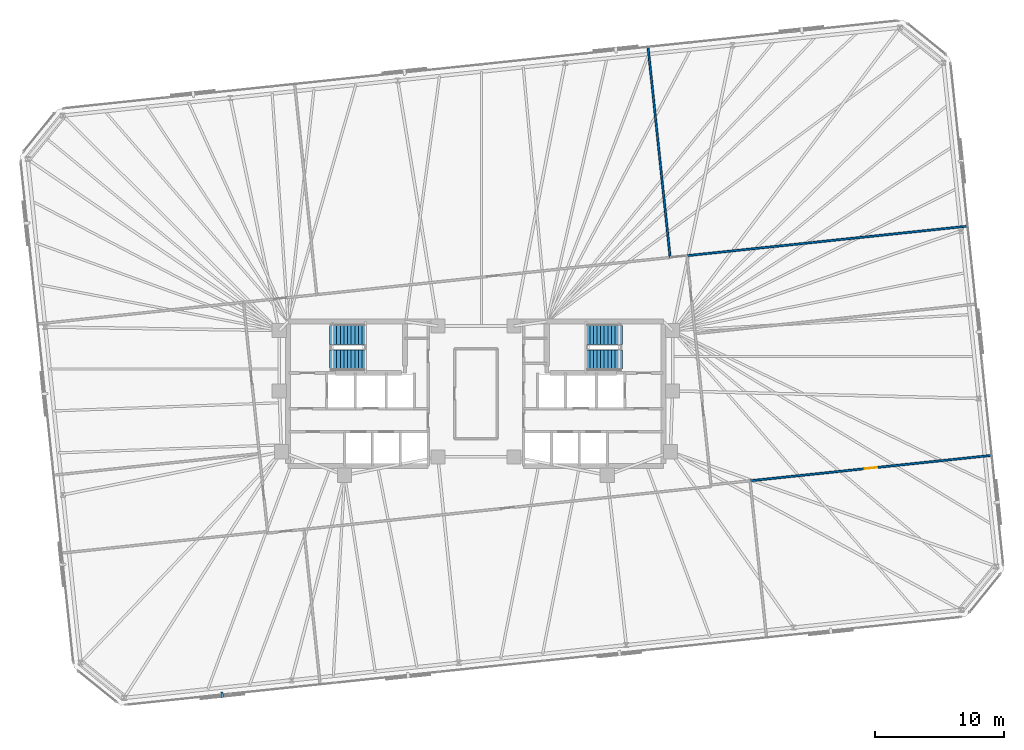
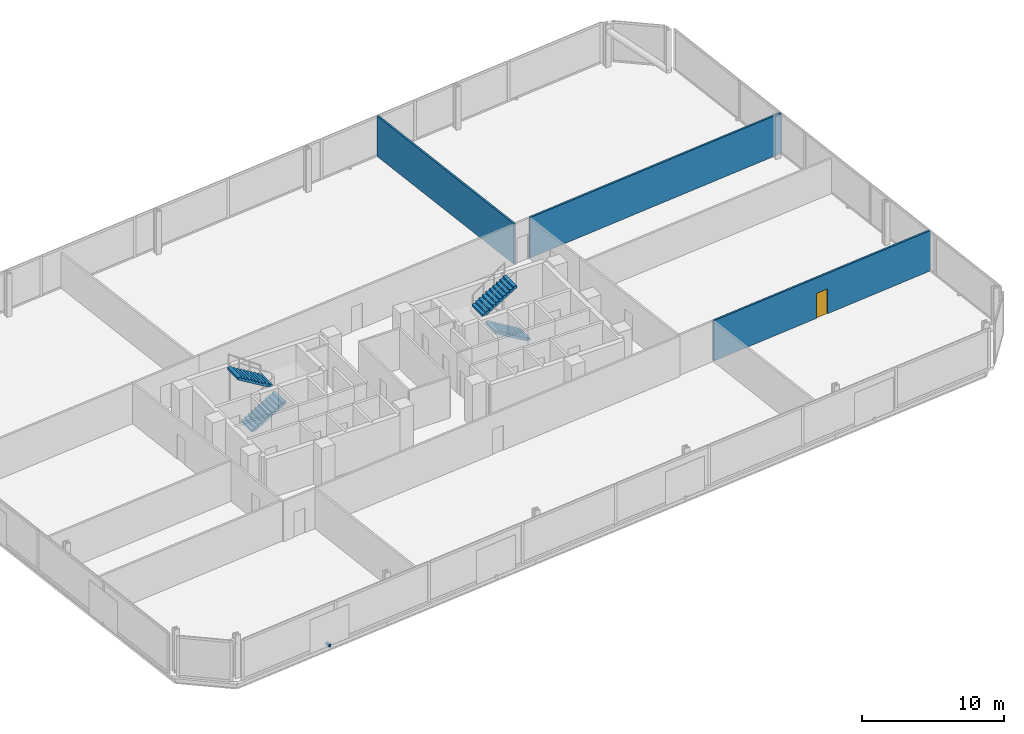
# One storey, part 16 of 18: 4 stair flights, 3 walls, 1 discrete accessory, 1 door, 1 opening, 2 elements without a shape of their own.
"""IFC4 building model written with IfcOpenShell, lengths in metres."""

from ifc_helpers import new_model, si_unit, direction, frame, frame_2d, origin, origin_2d, place, context, subcontext, project, spatial, polyline, rectangle, outline, extrude, material, layer, layer_set, type_object, element, fill, aggregate, save


model = new_model("IFC4")

# Units and contexts
model_context = context("Model", 3, precision=1e-05, world=origin(), true_north=direction((0.0, 1.0)))
body_context = subcontext(model_context, "Body", "Model", "MODEL_VIEW")
ifc_project = project(units=[si_unit("LENGTHUNIT", "METRE"), si_unit("AREAUNIT", "SQUARE_METRE"), si_unit("VOLUMEUNIT", "CUBIC_METRE"), si_unit("PLANEANGLEUNIT", "RADIAN"), si_unit("MASSUNIT", "GRAM", prefix="KILO")], contexts=[model_context])

# Site, building, storey
site_placement = place(None, origin())
site = spatial("IfcSite", under=ifc_project, at=site_placement, CompositionType="ELEMENT")
building_placement = place(site_placement, origin())
building = spatial("IfcBuilding", under=site, at=building_placement, Name="Menara Jurai Vektor", CompositionType="ELEMENT")
storey_placement = place(building_placement, frame((0.0, 0.0, 135.5)))
storey = spatial("IfcBuildingStorey", under=building, at=storey_placement, Name="L34", CompositionType="ELEMENT", Elevation=135.5)

# Walls
ifc_material_1 = material(Name="Gypsum Fireboard Partition", Category="gypsum")
ifc_layer = layer(ifc_material_1, 0.14990234375)
ifc_layer_set = layer_set([ifc_layer], Name="Gypsum Fireboard Partition")
wall_type = type_object("IfcWallType", Name="INT-WALL-CORR-150", PredefinedType="PARTITIONING", material=ifc_layer_set)
wall_1_placement = place(storey_placement, frame((15.0634765625, 10.567626953125, 0.0), z_axis=(0.0, 0.0, 1.0), x_axis=(-0.104536080245, 0.994521094762, 0.0)))
element("IfcWall", 1, at=wall_1_placement, inside=storey, type_object=wall_type, Name="Interior Wall IW-150 L34", PredefinedType="PARTITIONING", context=body_context, shape_type="SweptSolid", body=[
    extrude(rectangle(XDim=16.408935546875, YDim=0.14990234375, at=frame_2d((8.20458984375, 0.0))), origin(), (0.0, 0.0, 1.0), 3.47509765625),
])
wall_2_placement = place(storey_placement, frame((16.36328125, 10.7041015625, 0.0), z_axis=(0.0, 0.0, 1.0), x_axis=(0.994521206634, 0.104535015934, 0.0)))
element("IfcWall", 2, at=wall_2_placement, inside=storey, type_object=wall_type, Name="Interior Wall IW-150 L34", PredefinedType="PARTITIONING", context=body_context, shape_type="SweptSolid", body=[
    extrude(rectangle(XDim=21.892822265625, YDim=0.14990234375, at=frame_2d((10.9462890625, 0.0))), origin(), (0.0, 0.0, 1.0), 3.47509765625),
])

# Wall, opening, door
wall_3_placement = place(storey_placement, frame((21.257568359375, -6.749755859375, 0.0), z_axis=(0.0, 0.0, 1.0), x_axis=(0.994521409189, 0.104533088851, 0.0)))
wall_3 = element("IfcWall", 3, at=wall_3_placement, inside=storey, type_object=wall_type, Name="Interior Wall IW-150 L34", PredefinedType="PARTITIONING", context=body_context, shape_type="SweptSolid", body=[
    extrude(rectangle(XDim=18.85009765625, YDim=0.14990234375, at=frame_2d((9.425048828125, 0.0))), origin(), (0.0, 0.0, 1.0), 3.47509765625),
])
opening_placement = place(wall_3_placement, frame((8.949951171875, 0.0, 0.0)))
opening = element("IfcOpeningElement", 4, at=opening_placement, cuts=wall_3, Name="Opening D34-16", PredefinedType="OPENING", context=body_context, shape_type="SweptSolid", body=[
    extrude(rectangle(XDim=0.949951171875, YDim=2.14990234375, at=frame_2d((0.47509765625, 1.074951171875))), frame((0.0, 0.0849609375, 0.0), z_axis=(0.0, -1.0, 0.0), x_axis=(1.0, 0.0, 0.0)), (0.0, 0.0, 1.0), 0.169921875),
])
ifc_material_2 = material(Name="Solid Core Timber Fire Door", Category="wood")
door_type = type_object("IfcDoorType", Name="DR-ENTRY-950", OperationType="NOTDEFINED", PredefinedType="DOOR", material=ifc_material_2)
door_placement = place(opening_placement, origin())
door = element("IfcDoor", 5, at=door_placement, inside=storey, type_object=door_type, Name="Interior Door D34-16", OperationType="SINGLE_SWING_LEFT", OverallHeight=2.14990234375, OverallWidth=0.949951171875, PredefinedType="DOOR", context=body_context, shape_type="SweptSolid", body=[
    extrude(rectangle(XDim=0.949951171875, YDim=2.14990234375, at=frame_2d((0.47509765625, 1.074951171875))), frame((0.0, 0.02490234375, 0.0), z_axis=(0.0, -1.0, 0.0), x_axis=(1.0, 0.0, 0.0)), (0.0, 0.0, 1.0), 0.050048828125),
])
fill(opening, door)

# Stair, stair flights
ifc_material_3 = material(Name="Concrete C40/50", Category="concrete")
stair_type = type_object("IfcStairType", Name="STAIR-DOGLEG-1500", PredefinedType="HALF_TURN_STAIR", material=ifc_material_3)
stair_1_placement = place(storey_placement, origin())
stair_1 = element("IfcStair", 6, at=stair_1_placement, inside=storey, type_object=stair_type, Name="Protected Exit Stair ST1 L34", PredefinedType="HALF_TURN_STAIR")
stair_flight_type = type_object("IfcStairFlightType", Name="STAIR-FLIGHT-1500", PredefinedType="STRAIGHT", material=ifc_material_3)
stair_flight_1_placement = place(storey_placement, frame((-11.35009765625, 2.64990234375, 0.0), z_axis=(0.0, 0.0, 1.0), x_axis=(1.0, 0.0, 0.0)))
stair_flight_1 = element("IfcStairFlight", 7, at=stair_flight_1_placement, type_object=stair_flight_type, Name="ST1 flight 1", NumberOfRisers=11, NumberOfTreads=10, PredefinedType="STRAIGHT", RiserHeight=0.168182, TreadLength=0.28, context=body_context, shape_type="SweptSolid", body=[
    extrude(outline(polyline([(0.0, 0.0), (0.0, 0.168212890625), (0.280029296875, 0.168212890625), (0.280029296875, 0.33642578125), (0.56005859375, 0.33642578125), (0.56005859375, 0.504638671875), (0.840087890625, 0.504638671875), (0.840087890625, 0.672607421875), (1.1201171875, 0.672607421875), (1.1201171875, 0.8408203125), (1.39990234375, 0.8408203125), (1.39990234375, 1.009033203125), (1.679931640625, 1.009033203125), (1.679931640625, 1.17724609375), (1.9599609375, 1.17724609375), (1.9599609375, 1.345458984375), (2.239990234375, 1.345458984375), (2.239990234375, 1.513671875), (2.52001953125, 1.513671875), (2.52001953125, 1.681884765625), (2.800048828125, 1.681884765625), (2.800048828125, 1.85009765625), (2.800048828125, 1.495361328125), (0.310546875, 0.0), (0.0, 0.0)])), frame((0.0, 0.75, 0.0), z_axis=(0.0, -1.0, 0.0), x_axis=(1.0, 0.0, 0.0)), (0.0, 0.0, 1.0), 1.5),
])
stair_flight_2_placement = place(storey_placement, frame((-8.550048828125, 4.550048828125, 1.85009765625), z_axis=(0.0, 0.0, 1.0), x_axis=(-1.0, 0.0, 0.0)))
stair_flight_2 = element("IfcStairFlight", 8, at=stair_flight_2_placement, type_object=stair_flight_type, Name="ST1 flight 2", NumberOfRisers=11, NumberOfTreads=10, PredefinedType="STRAIGHT", RiserHeight=0.168182, TreadLength=0.28, context=body_context, shape_type="SweptSolid", body=[
    extrude(outline(polyline([(0.0, 0.0), (0.0, 0.168212890625), (0.280029296875, 0.168212890625), (0.280029296875, 0.33642578125), (0.56005859375, 0.33642578125), (0.56005859375, 0.504638671875), (0.840087890625, 0.504638671875), (0.840087890625, 0.672607421875), (1.1201171875, 0.672607421875), (1.1201171875, 0.8408203125), (1.39990234375, 0.8408203125), (1.39990234375, 1.009033203125), (1.679931640625, 1.009033203125), (1.679931640625, 1.17724609375), (1.9599609375, 1.17724609375), (1.9599609375, 1.345458984375), (2.239990234375, 1.345458984375), (2.239990234375, 1.513671875), (2.52001953125, 1.513671875), (2.52001953125, 1.681884765625), (2.800048828125, 1.681884765625), (2.800048828125, 1.85009765625), (2.800048828125, 1.495361328125), (0.310546875, 0.0), (0.0, 0.0)])), frame((0.0, 0.75, 0.0), z_axis=(0.0, -1.0, 0.0), x_axis=(1.0, 0.0, 0.0)), (0.0, 0.0, 1.0), 1.5),
])
aggregate(stair_1, [stair_flight_1, stair_flight_2])

stair_2_placement = place(storey_placement, origin())
stair_2 = element("IfcStair", 9, at=stair_2_placement, inside=storey, type_object=stair_type, Name="Protected Exit Stair ST2 L34", PredefinedType="HALF_TURN_STAIR")
stair_flight_3_placement = place(storey_placement, frame((11.35009765625, 2.64990234375, 0.0), z_axis=(0.0, 0.0, 1.0), x_axis=(-1.0, 0.0, 0.0)))
stair_flight_3 = element("IfcStairFlight", 10, at=stair_flight_3_placement, type_object=stair_flight_type, Name="ST2 flight 1", NumberOfRisers=11, NumberOfTreads=10, PredefinedType="STRAIGHT", RiserHeight=0.168182, TreadLength=0.28, context=body_context, shape_type="SweptSolid", body=[
    extrude(outline(polyline([(0.0, 0.0), (0.0, 0.168212890625), (0.280029296875, 0.168212890625), (0.280029296875, 0.33642578125), (0.56005859375, 0.33642578125), (0.56005859375, 0.504638671875), (0.840087890625, 0.504638671875), (0.840087890625, 0.672607421875), (1.1201171875, 0.672607421875), (1.1201171875, 0.8408203125), (1.39990234375, 0.8408203125), (1.39990234375, 1.009033203125), (1.679931640625, 1.009033203125), (1.679931640625, 1.17724609375), (1.9599609375, 1.17724609375), (1.9599609375, 1.345458984375), (2.239990234375, 1.345458984375), (2.239990234375, 1.513671875), (2.52001953125, 1.513671875), (2.52001953125, 1.681884765625), (2.800048828125, 1.681884765625), (2.800048828125, 1.85009765625), (2.800048828125, 1.495361328125), (0.310546875, 0.0), (0.0, 0.0)])), frame((0.0, 0.75, 0.0), z_axis=(0.0, -1.0, 0.0), x_axis=(1.0, 0.0, 0.0)), (0.0, 0.0, 1.0), 1.5),
])
stair_flight_4_placement = place(storey_placement, frame((8.550048828125, 4.550048828125, 1.85009765625), z_axis=(0.0, 0.0, 1.0), x_axis=(1.0, 0.0, 0.0)))
stair_flight_4 = element("IfcStairFlight", 11, at=stair_flight_4_placement, type_object=stair_flight_type, Name="ST2 flight 2", NumberOfRisers=11, NumberOfTreads=10, PredefinedType="STRAIGHT", RiserHeight=0.168182, TreadLength=0.28, context=body_context, shape_type="SweptSolid", body=[
    extrude(outline(polyline([(0.0, 0.0), (0.0, 0.168212890625), (0.280029296875, 0.168212890625), (0.280029296875, 0.33642578125), (0.56005859375, 0.33642578125), (0.56005859375, 0.504638671875), (0.840087890625, 0.504638671875), (0.840087890625, 0.672607421875), (1.1201171875, 0.672607421875), (1.1201171875, 0.8408203125), (1.39990234375, 0.8408203125), (1.39990234375, 1.009033203125), (1.679931640625, 1.009033203125), (1.679931640625, 1.17724609375), (1.9599609375, 1.17724609375), (1.9599609375, 1.345458984375), (2.239990234375, 1.345458984375), (2.239990234375, 1.513671875), (2.52001953125, 1.513671875), (2.52001953125, 1.681884765625), (2.800048828125, 1.681884765625), (2.800048828125, 1.85009765625), (2.800048828125, 1.495361328125), (0.310546875, 0.0), (0.0, 0.0)])), frame((0.0, 0.75, 0.0), z_axis=(0.0, -1.0, 0.0), x_axis=(1.0, 0.0, 0.0)), (0.0, 0.0, 1.0), 1.5),
])
aggregate(stair_2, [stair_flight_3, stair_flight_4])

# Discrete accessory
ifc_material_4 = material(Name="Steel S355", Category="steel")
discrete_accessory_type = type_object("IfcDiscreteAccessoryType", Name="ENV-ACC-BRACKET", PredefinedType="BRACKET", material=ifc_material_4)
discrete_accessory_placement = place(storey_placement, frame((-19.673583984375, -23.35009765625, -0.1298828125), z_axis=(0.0, 0.0, 1.0), x_axis=(0.994521895368, 0.104528463268, 0.0)))
element("IfcDiscreteAccessory", 12, at=discrete_accessory_placement, inside=storey, type_object=discrete_accessory_type, Name="Solar Screen Stand-Off Bracket L34-S01", PredefinedType="BRACKET", context=body_context, shape_type="SweptSolid", body=[
    extrude(rectangle(XDim=0.179931640625, YDim=0.43994140625, at=origin_2d()), origin(), (0.0, 0.0, 1.0), 0.219970703125),
])

save(model, "model.ifc")
